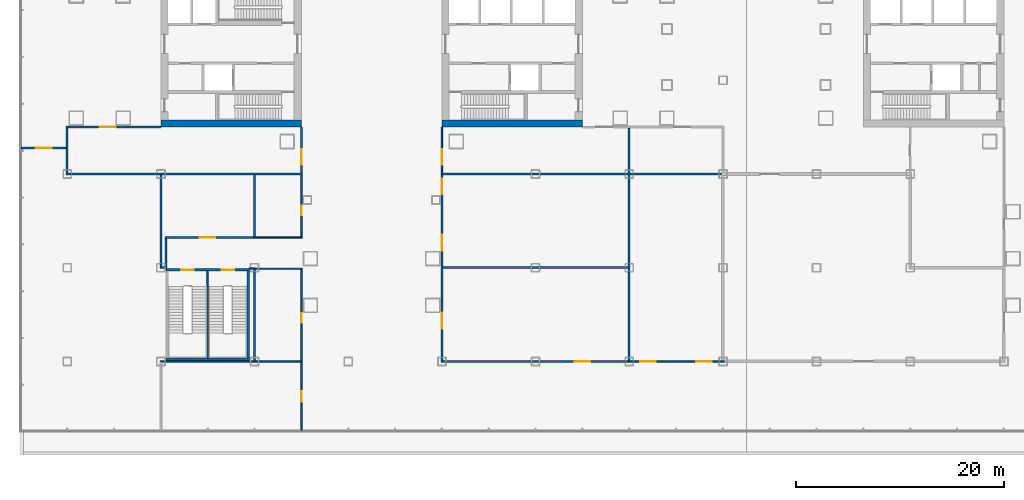
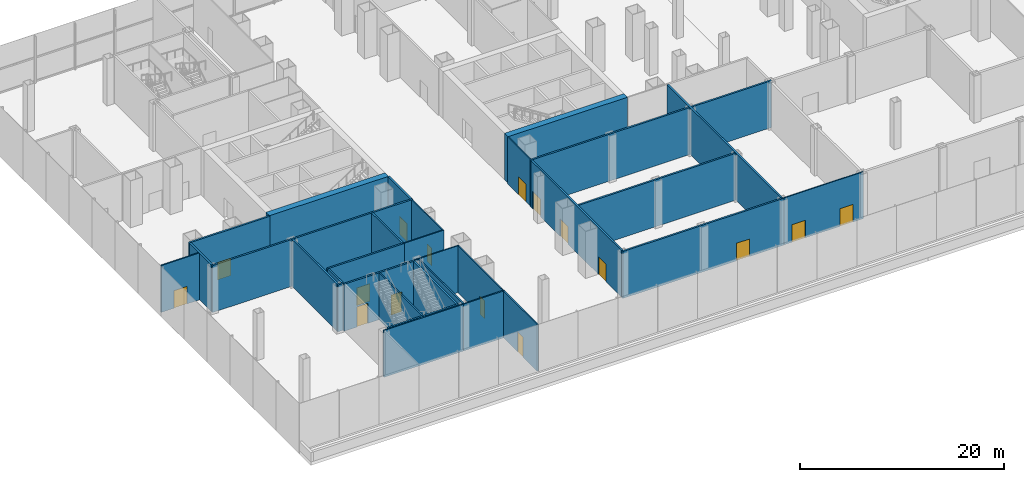
# One storey, part 22 of 38: 33 walls, 16 doors, 16 openings.
"""IFC4 building model written with IfcOpenShell, lengths in metres."""

from ifc_helpers import new_model, si_unit, direction, frame, frame_2d, origin, place, context, subcontext, project, spatial, rectangle, extrude, material, layer, layer_set, type_object, element, fill, save


model = new_model("IFC4")

# Units and contexts
model_context = context("Model", 3, precision=1e-05, world=origin(), true_north=direction((0.0, 1.0)))
body_context = subcontext(model_context, "Body", "Model", "MODEL_VIEW")
ifc_project = project(units=[si_unit("LENGTHUNIT", "METRE"), si_unit("AREAUNIT", "SQUARE_METRE"), si_unit("VOLUMEUNIT", "CUBIC_METRE"), si_unit("PLANEANGLEUNIT", "RADIAN"), si_unit("MASSUNIT", "GRAM", prefix="KILO")], contexts=[model_context])

# Site, building, storey
site_placement = place(None, origin())
site = spatial("IfcSite", under=ifc_project, at=site_placement, CompositionType="ELEMENT")
building_placement = place(site_placement, origin())
building = spatial("IfcBuilding", under=site, at=building_placement, Name="Shamsa Quay Exchange Towers", CompositionType="ELEMENT")
storey_placement = place(building_placement, frame((0.0, 0.0, 12.5)))
storey = spatial("IfcBuildingStorey", under=building, at=storey_placement, Name="L02", CompositionType="ELEMENT", Elevation=12.5)

# Wall, openings, doors
ifc_material_1 = material(Name="Double-leaf gypsum board partition with acoustic insulation")
ifc_layer_1 = layer(ifc_material_1, 0.199951171875)
ifc_layer_set_1 = layer_set([ifc_layer_1], Name="Acoustic partition 200 mm EI 60")
wall_type_1 = type_object("IfcWallType", Name="Acoustic partition 200 mm EI 60", PredefinedType="PARTITIONING", material=ifc_layer_set_1)
wall_1_placement = place(storey_placement, frame((-27.0, -29.14990234375, 0.0), z_axis=(0.0, 0.0, 1.0), x_axis=(0.0, 1.0, 0.0)))
wall_1 = element("IfcWall", 1, at=wall_1_placement, inside=storey, type_object=wall_type_1, Name="Partition PD-L02-W01", PredefinedType="PARTITIONING", context=body_context, shape_type="SweptSolid", body=[
    extrude(rectangle(XDim=17.7998046875, YDim=0.199951171875, at=frame_2d((8.89990234375, 0.0))), origin(), (0.0, 0.0, 1.0), 5.60009765625),
])
opening_1_placement = place(wall_1_placement, frame((3.050048828125, 0.0, 0.0)))
opening_1 = element("IfcOpeningElement", 2, at=opening_1_placement, cuts=wall_1, Name="Opening PD-L02-D16", PredefinedType="OPENING", context=body_context, shape_type="SweptSolid", body=[
    extrude(rectangle(XDim=1.5, YDim=2.10009765625, at=frame_2d((0.75, 1.050048828125))), frame((0.0, 0.10986328125, 0.0), z_axis=(0.0, -1.0, 0.0), x_axis=(1.0, 0.0, 0.0)), (0.0, 0.0, 1.0), 0.219970703125),
])
opening_2_placement = place(wall_1_placement, frame((10.550048828125, 0.0, 0.0)))
opening_2 = element("IfcOpeningElement", 3, at=opening_2_placement, cuts=wall_1, Name="Opening PD-L02-D17", PredefinedType="OPENING", context=body_context, shape_type="SweptSolid", body=[
    extrude(rectangle(XDim=1.5, YDim=2.10009765625, at=frame_2d((0.75, 1.050048828125))), frame((0.0, 0.10986328125, 0.0), z_axis=(0.0, -1.0, 0.0), x_axis=(1.0, 0.0, 0.0)), (0.0, 0.0, 1.0), 0.219970703125),
])
opening_3_placement = place(wall_1_placement, frame((15.949951171875, 0.0, 0.0)))
opening_3 = element("IfcOpeningElement", 4, at=opening_3_placement, cuts=wall_1, Name="Opening PD-L02-D18", PredefinedType="OPENING", context=body_context, shape_type="SweptSolid", body=[
    extrude(rectangle(XDim=1.5, YDim=2.10009765625, at=frame_2d((0.75, 1.050048828125))), frame((0.0, 0.10986328125, 0.0), z_axis=(0.0, -1.0, 0.0), x_axis=(1.0, 0.0, 0.0)), (0.0, 0.0, 1.0), 0.219970703125),
])
ifc_material_2 = material(Name="Timber door leaf in a metal frame", Category="wood")
door_type_1 = type_object("IfcDoorType", Name="Door 1500x2100 FD30S pair", OperationType="NOTDEFINED", PredefinedType="DOOR", material=ifc_material_2)
door_1_placement = place(opening_1_placement, origin())
door_1 = element("IfcDoor", 5, at=door_1_placement, inside=storey, type_object=door_type_1, Name="Door PD-L02-D16", OperationType="DOUBLE_DOOR_SINGLE_SWING", OverallHeight=2.10009765625, OverallWidth=1.5, PredefinedType="DOOR", context=body_context, shape_type="SweptSolid", body=[
    extrude(rectangle(XDim=1.5, YDim=2.10009765625, at=frame_2d((0.75, 1.050048828125))), frame((0.0, 0.02490234375, 0.0), z_axis=(0.0, -1.0, 0.0), x_axis=(1.0, 0.0, 0.0)), (0.0, 0.0, 1.0), 0.050048828125),
])
fill(opening_1, door_1)
door_2_placement = place(opening_2_placement, origin())
door_2 = element("IfcDoor", 6, at=door_2_placement, inside=storey, type_object=door_type_1, Name="Door PD-L02-D17", OperationType="DOUBLE_DOOR_SINGLE_SWING", OverallHeight=2.10009765625, OverallWidth=1.5, PredefinedType="DOOR", context=body_context, shape_type="SweptSolid", body=[
    extrude(rectangle(XDim=1.5, YDim=2.10009765625, at=frame_2d((0.75, 1.050048828125))), frame((0.0, 0.02490234375, 0.0), z_axis=(0.0, -1.0, 0.0), x_axis=(1.0, 0.0, 0.0)), (0.0, 0.0, 1.0), 0.050048828125),
])
fill(opening_2, door_2)
door_3_placement = place(opening_3_placement, origin())
door_3 = element("IfcDoor", 7, at=door_3_placement, inside=storey, type_object=door_type_1, Name="Door PD-L02-D18", OperationType="DOUBLE_DOOR_SINGLE_SWING", OverallHeight=2.10009765625, OverallWidth=1.5, PredefinedType="DOOR", context=body_context, shape_type="SweptSolid", body=[
    extrude(rectangle(XDim=1.5, YDim=2.10009765625, at=frame_2d((0.75, 1.050048828125))), frame((0.0, 0.02490234375, 0.0), z_axis=(0.0, -1.0, 0.0), x_axis=(1.0, 0.0, 0.0)), (0.0, 0.0, 1.0), 0.050048828125),
])
fill(opening_3, door_3)

# Wall, opening, door
wall_2_placement = place(storey_placement, frame((-40.5, -6.75, 0.0), z_axis=(0.0, 0.0, 1.0), x_axis=(0.0, -1.0, 0.0)))
wall_2 = element("IfcWall", 8, at=wall_2_placement, inside=storey, type_object=wall_type_1, Name="Partition PD-L02-W03", PredefinedType="PARTITIONING", context=body_context, shape_type="SweptSolid", body=[
    extrude(rectangle(XDim=4.39990234375, YDim=0.199951171875, at=frame_2d((2.199951171875, 0.0))), origin(), (0.0, 0.0, 1.0), 5.60009765625),
])
opening_4_placement = place(wall_2_placement, frame((2.10009765625, 0.0, 0.0)))
opening_4 = element("IfcOpeningElement", 9, at=opening_4_placement, cuts=wall_2, Name="Opening PD-L02-D11", PredefinedType="OPENING", context=body_context, shape_type="SweptSolid", body=[
    extrude(rectangle(XDim=1.5, YDim=2.10009765625, at=frame_2d((0.75, 1.050048828125))), frame((0.0, 0.10986328125, 0.0), z_axis=(0.0, -1.0, 0.0), x_axis=(1.0, 0.0, 0.0)), (0.0, 0.0, 1.0), 0.219970703125),
])
door_4_placement = place(opening_4_placement, origin())
door_4 = element("IfcDoor", 10, at=door_4_placement, inside=storey, type_object=door_type_1, Name="Door PD-L02-D11", OperationType="DOUBLE_DOOR_SINGLE_SWING", OverallHeight=2.10009765625, OverallWidth=1.5, PredefinedType="DOOR", context=body_context, shape_type="SweptSolid", body=[
    extrude(rectangle(XDim=1.5, YDim=2.10009765625, at=frame_2d((0.75, 1.050048828125))), frame((0.0, 0.02490234375, 0.0), z_axis=(0.0, -1.0, 0.0), x_axis=(1.0, 0.0, 0.0)), (0.0, 0.0, 1.0), 0.050048828125),
])
fill(opening_4, door_4)

wall_3_placement = place(storey_placement, frame((-8.89990234375, -29.25, 0.0), z_axis=(0.0, 0.0, 1.0), x_axis=(-1.0, 0.0, 0.0)))
wall_3 = element("IfcWall", 11, at=wall_3_placement, inside=storey, type_object=wall_type_1, Name="Partition PD-L02-W27", PredefinedType="PARTITIONING", context=body_context, shape_type="SweptSolid", body=[
    extrude(rectangle(XDim=18.2001953125, YDim=0.199951171875, at=frame_2d((9.10009765625, 0.0))), origin(), (0.0, 0.0, 1.0), 5.60009765625),
])
opening_5_placement = place(wall_3_placement, frame((3.85009765625, 0.0, 0.0)))
opening_5 = element("IfcOpeningElement", 12, at=opening_5_placement, cuts=wall_3, Name="Opening PD-L02-D26", PredefinedType="OPENING", context=body_context, shape_type="SweptSolid", body=[
    extrude(rectangle(XDim=1.5, YDim=2.10009765625, at=frame_2d((0.75, 1.050048828125))), frame((0.0, 0.10986328125, 0.0), z_axis=(0.0, -1.0, 0.0), x_axis=(1.0, 0.0, 0.0)), (0.0, 0.0, 1.0), 0.219970703125),
])
door_5_placement = place(opening_5_placement, origin())
door_5 = element("IfcDoor", 13, at=door_5_placement, inside=storey, type_object=door_type_1, Name="Door PD-L02-D26", OperationType="DOUBLE_DOOR_SINGLE_SWING", OverallHeight=2.10009765625, OverallWidth=1.5, PredefinedType="DOOR", context=body_context, shape_type="SweptSolid", body=[
    extrude(rectangle(XDim=1.5, YDim=2.10009765625, at=frame_2d((0.75, 1.050048828125))), frame((0.0, 0.02490234375, 0.0), z_axis=(0.0, -1.0, 0.0), x_axis=(1.0, 0.0, 0.0)), (0.0, 0.0, 1.0), 0.050048828125),
])
fill(opening_5, door_5)

wall_4_placement = place(storey_placement, frame((-63.10009765625, -6.75, 0.0)))
wall_4 = element("IfcWall", 14, at=wall_4_placement, inside=storey, type_object=wall_type_1, Name="Partition PD-L02-W31", PredefinedType="PARTITIONING", context=body_context, shape_type="SweptSolid", body=[
    extrude(rectangle(XDim=9.10009765625, YDim=0.199951171875, at=frame_2d((4.550048828125, 0.0))), origin(), (0.0, 0.0, 1.0), 5.60009765625),
])
opening_6_placement = place(wall_4_placement, frame((3.25, 0.0, 0.0)))
opening_6 = element("IfcOpeningElement", 15, at=opening_6_placement, cuts=wall_4, Name="Opening PD-L02-D03", PredefinedType="OPENING", context=body_context, shape_type="SweptSolid", body=[
    extrude(rectangle(XDim=1.5, YDim=2.10009765625, at=frame_2d((0.75, 1.050048828125))), frame((0.0, 0.10986328125, 0.0), z_axis=(0.0, -1.0, 0.0), x_axis=(1.0, 0.0, 0.0)), (0.0, 0.0, 1.0), 0.219970703125),
])
door_6_placement = place(opening_6_placement, origin())
door_6 = element("IfcDoor", 16, at=door_6_placement, inside=storey, type_object=door_type_1, Name="Door PD-L02-D03", OperationType="DOUBLE_DOOR_SINGLE_SWING", OverallHeight=2.10009765625, OverallWidth=1.5, PredefinedType="DOOR", context=body_context, shape_type="SweptSolid", body=[
    extrude(rectangle(XDim=1.5, YDim=2.10009765625, at=frame_2d((0.75, 1.050048828125))), frame((0.0, 0.02490234375, 0.0), z_axis=(0.0, -1.0, 0.0), x_axis=(1.0, 0.0, 0.0)), (0.0, 0.0, 1.0), 0.050048828125),
])
fill(opening_6, door_6)

# Walls
wall_5_placement = place(storey_placement, frame((-63.0, -11.14990234375, 0.0), z_axis=(0.0, 0.0, 1.0), x_axis=(0.0, 1.0, 0.0)))
element("IfcWall", 17, at=wall_5_placement, inside=storey, type_object=wall_type_1, Name="Partition PD-L02-W32", PredefinedType="PARTITIONING", context=body_context, shape_type="SweptSolid", body=[
    extrude(rectangle(XDim=4.2998046875, YDim=0.199951171875, at=frame_2d((2.14990234375, 0.0))), origin(), (0.0, 0.0, 1.0), 5.60009765625),
])
wall_6_placement = place(storey_placement, frame((-53.5, -20.14990234375, 0.0), z_axis=(0.0, 0.0, 1.0), x_axis=(0.0, 1.0, 0.0)))
element("IfcWall", 18, at=wall_6_placement, inside=storey, type_object=wall_type_1, Name="Partition PD-L02-W39", PredefinedType="PARTITIONING", context=body_context, shape_type="SweptSolid", body=[
    extrude(rectangle(XDim=2.7001953125, YDim=0.199951171875, at=frame_2d((1.35009765625, 0.0))), origin(), (0.0, 0.0, 1.0), 5.60009765625),
])

# Wall, opening, door
wall_7_placement = place(storey_placement, frame((-53.60009765625, -17.349609375, 0.0)))
wall_7 = element("IfcWall", 19, at=wall_7_placement, inside=storey, type_object=wall_type_1, Name="Partition PD-L02-W50", PredefinedType="PARTITIONING", context=body_context, shape_type="SweptSolid", body=[
    extrude(rectangle(XDim=8.7001953125, YDim=0.199951171875, at=frame_2d((4.35009765625, 0.0))), origin(), (0.0, 0.0, 1.0), 5.60009765625),
])
opening_7_placement = place(wall_7_placement, frame((3.35009765625, 0.0, 0.0)))
opening_7 = element("IfcOpeningElement", 20, at=opening_7_placement, cuts=wall_7, Name="Opening PD-L02-D06", PredefinedType="OPENING", context=body_context, shape_type="SweptSolid", body=[
    extrude(rectangle(XDim=1.5, YDim=2.10009765625, at=frame_2d((0.75, 1.050048828125))), frame((0.0, 0.10986328125, 0.0), z_axis=(0.0, -1.0, 0.0), x_axis=(1.0, 0.0, 0.0)), (0.0, 0.0, 1.0), 0.219970703125),
])
door_7_placement = place(opening_7_placement, origin())
door_7 = element("IfcDoor", 21, at=door_7_placement, inside=storey, type_object=door_type_1, Name="Door PD-L02-D06", OperationType="DOUBLE_DOOR_SINGLE_SWING", OverallHeight=2.10009765625, OverallWidth=1.5, PredefinedType="DOOR", context=body_context, shape_type="SweptSolid", body=[
    extrude(rectangle(XDim=1.5, YDim=2.10009765625, at=frame_2d((0.75, 1.050048828125))), frame((0.0, 0.02490234375, 0.0), z_axis=(0.0, -1.0, 0.0), x_axis=(1.0, 0.0, 0.0)), (0.0, 0.0, 1.0), 0.050048828125),
])
fill(opening_7, door_7)

# Walls
wall_8_placement = place(storey_placement, frame((0.125, -11.25, 0.0), z_axis=(0.0, 0.0, 1.0), x_axis=(-1.0, 0.0, 0.0)))
element("IfcWall", 22, at=wall_8_placement, inside=storey, type_object=wall_type_1, Name="Partition PD-L02-W60", PredefinedType="PARTITIONING", context=body_context, shape_type="SweptSolid", body=[
    extrude(rectangle(XDim=27.22509765625, YDim=0.199951171875, at=frame_2d((13.612548828125, 0.0))), origin(), (0.0, 0.0, 1.0), 5.60009765625),
])
wall_9_placement = place(storey_placement, frame((-53.89990234375, -11.25, 0.0), z_axis=(0.0, 0.0, 1.0), x_axis=(-1.0, 0.0, 0.0)))
element("IfcWall", 23, at=wall_9_placement, inside=storey, type_object=wall_type_1, Name="Partition PD-L02-W61", PredefinedType="PARTITIONING", context=body_context, shape_type="SweptSolid", body=[
    extrude(rectangle(XDim=9.2001953125, YDim=0.199951171875, at=frame_2d((4.60009765625, 0.0))), origin(), (0.0, 0.0, 1.0), 5.60009765625),
])
wall_10_placement = place(storey_placement, frame((-54.0, -20.14990234375, 0.0), z_axis=(0.0, 0.0, 1.0), x_axis=(0.0, 1.0, 0.0)))
element("IfcWall", 24, at=wall_10_placement, inside=storey, type_object=wall_type_1, Name="Partition PD-L02-W64", PredefinedType="PARTITIONING", context=body_context, shape_type="SweptSolid", body=[
    extrude(rectangle(XDim=8.7998046875, YDim=0.199951171875, at=frame_2d((4.39990234375, 0.0))), origin(), (0.0, 0.0, 1.0), 5.60009765625),
])
wall_11_placement = place(storey_placement, frame((-9.10009765625, -20.25, 0.0), z_axis=(0.0, 0.0, 1.0), x_axis=(-1.0, 0.0, 0.0)))
element("IfcWall", 25, at=wall_11_placement, inside=storey, type_object=wall_type_1, Name="Partition PD-L02-W67", PredefinedType="PARTITIONING", context=body_context, shape_type="SweptSolid", body=[
    extrude(rectangle(XDim=17.7998046875, YDim=0.199951171875, at=frame_2d((8.89990234375, 0.0))), origin(), (0.0, 0.0, 1.0), 5.60009765625),
])
wall_12_placement = place(storey_placement, frame((-53.39990234375, -20.25, 0.0), z_axis=(0.0, 0.0, 1.0), x_axis=(-1.0, 0.0, 0.0)))
element("IfcWall", 26, at=wall_12_placement, inside=storey, type_object=wall_type_1, Name="Partition PD-L02-W68", PredefinedType="PARTITIONING", context=body_context, shape_type="SweptSolid", body=[
    extrude(rectangle(XDim=0.7001953125, YDim=0.199951171875, at=frame_2d((0.35009765625, 0.0))), origin(), (0.0, 0.0, 1.0), 5.60009765625),
])
wall_13_placement = place(storey_placement, frame((-45.0, -17.24951171875, 0.0), z_axis=(0.0, 0.0, 1.0), x_axis=(0.0, 1.0, 0.0)))
element("IfcWall", 27, at=wall_13_placement, inside=storey, type_object=wall_type_1, Name="Partition PD-L02-W70", PredefinedType="PARTITIONING", context=body_context, shape_type="SweptSolid", body=[
    extrude(rectangle(XDim=5.8994140625, YDim=0.199951171875, at=frame_2d((2.94970703125, 0.0))), origin(), (0.0, 0.0, 1.0), 5.60009765625),
])
wall_14_placement = place(storey_placement, frame((-9.0, -29.14990234375, 0.0), z_axis=(0.0, 0.0, 1.0), x_axis=(0.0, 1.0, 0.0)))
element("IfcWall", 28, at=wall_14_placement, inside=storey, type_object=wall_type_1, Name="Partition PD-L02-W84", PredefinedType="PARTITIONING", context=body_context, shape_type="SweptSolid", body=[
    extrude(rectangle(XDim=22.2998046875, YDim=0.199951171875, at=frame_2d((11.14990234375, 0.0))), origin(), (0.0, 0.0, 1.0), 5.60009765625),
])
wall_15_placement = place(storey_placement, frame((-54.10009765625, -11.25, 0.0)))
element("IfcWall", 29, at=wall_15_placement, inside=storey, type_object=wall_type_1, Name="Partition PD-L02-W87", PredefinedType="PARTITIONING", context=body_context, shape_type="SweptSolid", body=[
    extrude(rectangle(XDim=13.7001953125, YDim=0.199951171875, at=frame_2d((6.85009765625, 0.0))), origin(), (0.0, 0.0, 1.0), 5.60009765625),
])
ifc_material_3 = material(Name="Concrete C80/95", Category="concrete")
ifc_layer_2 = layer(ifc_material_3, 0.699951171875)
ifc_layer_set_2 = layer_set([ifc_layer_2], Name="CORE WALL 700 C80/95")
wall_type_2 = type_object("IfcWallType", Name="CORE WALL 700 C80/95", PredefinedType="SHEAR", material=ifc_layer_set_2)
wall_16_placement = place(storey_placement, frame((-27.0, -6.39990234375, 0.0)))
element("IfcWall", 30, at=wall_16_placement, inside=storey, type_object=wall_type_2, Name="Core wall T1A-L02-PS", PredefinedType="SHEAR", context=body_context, shape_type="SweptSolid", body=[
    extrude(rectangle(XDim=13.5, YDim=0.699951171875, at=frame_2d((6.75, 0.0))), origin(), (0.0, 0.0, 1.0), 5.60009765625),
])
wall_17_placement = place(storey_placement, frame((-40.5, -6.39990234375, 0.0), z_axis=(0.0, 0.0, 1.0), x_axis=(-1.0, 0.0, 0.0)))
element("IfcWall", 31, at=wall_17_placement, inside=storey, type_object=wall_type_2, Name="Core wall T1B-L02-PS", PredefinedType="SHEAR", context=body_context, shape_type="SweptSolid", body=[
    extrude(rectangle(XDim=13.5, YDim=0.699951171875, at=frame_2d((6.75, 0.0))), origin(), (0.0, 0.0, 1.0), 5.60009765625),
])

# Wall, opening, door
ifc_material_4 = material(Name="Laminated fire-resisting glass in a metal frame", Category="glass")
ifc_layer_3 = layer(ifc_material_4, 0.125)
ifc_layer_set_3 = layer_set([ifc_layer_3], Name="Glazed partition 125 mm EI 60")
wall_type_3 = type_object("IfcWallType", Name="Glazed partition 125 mm EI 60", PredefinedType="PARTITIONING", material=ifc_layer_set_3)
wall_18_placement = place(storey_placement, frame((-27.0, -11.14990234375, 0.0), z_axis=(0.0, 0.0, 1.0), x_axis=(0.0, 1.0, 0.0)))
wall_18 = element("IfcWall", 32, at=wall_18_placement, inside=storey, type_object=wall_type_3, Name="Partition PD-L02-W05", PredefinedType="PARTITIONING", context=body_context, shape_type="SweptSolid", body=[
    extrude(rectangle(XDim=4.39990234375, YDim=0.125, at=frame_2d((2.199951171875, 0.0))), origin(), (0.0, 0.0, 1.0), 5.60009765625),
])
opening_8_placement = place(wall_18_placement, frame((0.800048828125, 0.0, 0.0)))
opening_8 = element("IfcOpeningElement", 33, at=opening_8_placement, cuts=wall_18, Name="Opening PD-L02-D19", PredefinedType="OPENING", context=body_context, shape_type="SweptSolid", body=[
    extrude(rectangle(XDim=1.5, YDim=2.10009765625, at=frame_2d((0.75, 1.050048828125))), frame((0.0, 0.072509765625, 0.0), z_axis=(0.0, -1.0, 0.0), x_axis=(1.0, 0.0, 0.0)), (0.0, 0.0, 1.0), 0.14501953125),
])
door_8_placement = place(opening_8_placement, origin())
door_8 = element("IfcDoor", 34, at=door_8_placement, inside=storey, type_object=door_type_1, Name="Door PD-L02-D19", OperationType="DOUBLE_DOOR_SINGLE_SWING", OverallHeight=2.10009765625, OverallWidth=1.5, PredefinedType="DOOR", context=body_context, shape_type="SweptSolid", body=[
    extrude(rectangle(XDim=1.5, YDim=2.10009765625, at=frame_2d((0.75, 1.050048828125))), frame((0.0, 0.02490234375, 0.0), z_axis=(0.0, -1.0, 0.0), x_axis=(1.0, 0.0, 0.0)), (0.0, 0.0, 1.0), 0.050048828125),
])
fill(opening_8, door_8)

wall_19_placement = place(storey_placement, frame((-40.5, -29.175048828125, 0.0), z_axis=(0.0, 0.0, 1.0), x_axis=(0.0, 1.0, 0.0)))
wall_19 = element("IfcWall", 35, at=wall_19_placement, inside=storey, type_object=wall_type_3, Name="Partition PD-L02-W07", PredefinedType="PARTITIONING", context=body_context, shape_type="SweptSolid", body=[
    extrude(rectangle(XDim=8.762939453125, YDim=0.125, at=frame_2d((4.38134765625, 0.0))), origin(), (0.0, 0.0, 1.0), 5.60009765625),
])
opening_9_placement = place(wall_19_placement, frame((3.625244140625, 0.0, 0.0)))
opening_9 = element("IfcOpeningElement", 36, at=opening_9_placement, cuts=wall_19, Name="Opening PD-L02-D09", PredefinedType="OPENING", context=body_context, shape_type="SweptSolid", body=[
    extrude(rectangle(XDim=0.89990234375, YDim=2.10009765625, at=frame_2d((0.449951171875, 1.050048828125))), frame((0.0, 0.072509765625, 0.0), z_axis=(0.0, -1.0, 0.0), x_axis=(1.0, 0.0, 0.0)), (0.0, 0.0, 1.0), 0.14501953125),
])
door_type_2 = type_object("IfcDoorType", Name="Door 900x2100 FD30S", OperationType="NOTDEFINED", PredefinedType="DOOR", material=ifc_material_2)
door_9_placement = place(opening_9_placement, origin())
door_9 = element("IfcDoor", 37, at=door_9_placement, inside=storey, type_object=door_type_2, Name="Door PD-L02-D09", OperationType="SINGLE_SWING_LEFT", OverallHeight=2.10009765625, OverallWidth=0.89990234375, PredefinedType="DOOR", context=body_context, shape_type="SweptSolid", body=[
    extrude(rectangle(XDim=0.89990234375, YDim=2.10009765625, at=frame_2d((0.449951171875, 1.050048828125))), frame((0.0, 0.02490234375, 0.0), z_axis=(0.0, -1.0, 0.0), x_axis=(1.0, 0.0, 0.0)), (0.0, 0.0, 1.0), 0.050048828125),
])
fill(opening_9, door_9)

wall_20_placement = place(storey_placement, frame((-40.5, -17.287109375, 0.0), z_axis=(0.0, 0.0, 1.0), x_axis=(0.0, 1.0, 0.0)))
wall_20 = element("IfcWall", 38, at=wall_20_placement, inside=storey, type_object=wall_type_3, Name="Partition PD-L02-W08", PredefinedType="PARTITIONING", context=body_context, shape_type="SweptSolid", body=[
    extrude(rectangle(XDim=5.93701171875, YDim=0.125, at=frame_2d((2.968505859375, 0.0))), origin(), (0.0, 0.0, 1.0), 5.60009765625),
])
opening_10_placement = place(wall_20_placement, frame((2.08740234375, 0.0, 0.0)))
opening_10 = element("IfcOpeningElement", 39, at=opening_10_placement, cuts=wall_20, Name="Opening PD-L02-D10", PredefinedType="OPENING", context=body_context, shape_type="SweptSolid", body=[
    extrude(rectangle(XDim=0.89990234375, YDim=2.10009765625, at=frame_2d((0.449951171875, 1.050048828125))), frame((0.0, 0.072509765625, 0.0), z_axis=(0.0, -1.0, 0.0), x_axis=(1.0, 0.0, 0.0)), (0.0, 0.0, 1.0), 0.14501953125),
])
door_10_placement = place(opening_10_placement, origin())
door_10 = element("IfcDoor", 40, at=door_10_placement, inside=storey, type_object=door_type_2, Name="Door PD-L02-D10", OperationType="SINGLE_SWING_LEFT", OverallHeight=2.10009765625, OverallWidth=0.89990234375, PredefinedType="DOOR", context=body_context, shape_type="SweptSolid", body=[
    extrude(rectangle(XDim=0.89990234375, YDim=2.10009765625, at=frame_2d((0.449951171875, 1.050048828125))), frame((0.0, 0.02490234375, 0.0), z_axis=(0.0, -1.0, 0.0), x_axis=(1.0, 0.0, 0.0)), (0.0, 0.0, 1.0), 0.050048828125),
])
fill(opening_10, door_10)

# Wall, openings, doors
wall_21_placement = place(storey_placement, frame((0.125, -29.25, 0.0), z_axis=(0.0, 0.0, 1.0), x_axis=(-1.0, 0.0, 0.0)))
wall_21 = element("IfcWall", 41, at=wall_21_placement, inside=storey, type_object=wall_type_3, Name="Partition PD-L02-W28", PredefinedType="PARTITIONING", context=body_context, shape_type="SweptSolid", body=[
    extrude(rectangle(XDim=9.22509765625, YDim=0.125, at=frame_2d((4.612548828125, 0.0))), origin(), (0.0, 0.0, 1.0), 5.60009765625),
])
opening_11_placement = place(wall_21_placement, frame((1.175048828125, 0.0, 0.0)))
opening_11 = element("IfcOpeningElement", 42, at=opening_11_placement, cuts=wall_21, Name="Opening PD-L02-D27", PredefinedType="OPENING", context=body_context, shape_type="SweptSolid", body=[
    extrude(rectangle(XDim=1.5, YDim=2.10009765625, at=frame_2d((0.75, 1.050048828125))), frame((0.0, 0.072509765625, 0.0), z_axis=(0.0, -1.0, 0.0), x_axis=(1.0, 0.0, 0.0)), (0.0, 0.0, 1.0), 0.14501953125),
])
opening_12_placement = place(wall_21_placement, frame((6.574951171875, 0.0, 0.0)))
opening_12 = element("IfcOpeningElement", 43, at=opening_12_placement, cuts=wall_21, Name="Opening PD-L02-D28", PredefinedType="OPENING", context=body_context, shape_type="SweptSolid", body=[
    extrude(rectangle(XDim=1.5, YDim=2.10009765625, at=frame_2d((0.75, 1.050048828125))), frame((0.0, 0.072509765625, 0.0), z_axis=(0.0, -1.0, 0.0), x_axis=(1.0, 0.0, 0.0)), (0.0, 0.0, 1.0), 0.14501953125),
])
door_11_placement = place(opening_11_placement, origin())
door_11 = element("IfcDoor", 44, at=door_11_placement, inside=storey, type_object=door_type_1, Name="Door PD-L02-D27", OperationType="DOUBLE_DOOR_SINGLE_SWING", OverallHeight=2.10009765625, OverallWidth=1.5, PredefinedType="DOOR", context=body_context, shape_type="SweptSolid", body=[
    extrude(rectangle(XDim=1.5, YDim=2.10009765625, at=frame_2d((0.75, 1.050048828125))), frame((0.0, 0.02490234375, 0.0), z_axis=(0.0, -1.0, 0.0), x_axis=(1.0, 0.0, 0.0)), (0.0, 0.0, 1.0), 0.050048828125),
])
fill(opening_11, door_11)
door_12_placement = place(opening_12_placement, origin())
door_12 = element("IfcDoor", 45, at=door_12_placement, inside=storey, type_object=door_type_1, Name="Door PD-L02-D28", OperationType="DOUBLE_DOOR_SINGLE_SWING", OverallHeight=2.10009765625, OverallWidth=1.5, PredefinedType="DOOR", context=body_context, shape_type="SweptSolid", body=[
    extrude(rectangle(XDim=1.5, YDim=2.10009765625, at=frame_2d((0.75, 1.050048828125))), frame((0.0, 0.02490234375, 0.0), z_axis=(0.0, -1.0, 0.0), x_axis=(1.0, 0.0, 0.0)), (0.0, 0.0, 1.0), 0.050048828125),
])
fill(opening_12, door_12)

# Walls
wall_22_placement = place(storey_placement, frame((-40.4375, -20.349609375, 0.0), z_axis=(0.0, 0.0, 1.0), x_axis=(-1.0, 0.0, 0.0)))
element("IfcWall", 46, at=wall_22_placement, inside=storey, type_object=wall_type_3, Name="Partition PD-L02-W51", PredefinedType="PARTITIONING", context=body_context, shape_type="SweptSolid", body=[
    extrude(rectangle(XDim=4.637451171875, YDim=0.125, at=frame_2d((2.31884765625, 0.0))), origin(), (0.0, 0.0, 1.0), 5.60009765625),
])
wall_23_placement = place(storey_placement, frame((-45.10009765625, -17.349609375, 0.0)))
element("IfcWall", 47, at=wall_23_placement, inside=storey, type_object=wall_type_3, Name="Partition PD-L02-W52", PredefinedType="PARTITIONING", context=body_context, shape_type="SweptSolid", body=[
    extrude(rectangle(XDim=4.66259765625, YDim=0.125, at=frame_2d((2.331298828125, 0.0))), origin(), (0.0, 0.0, 1.0), 5.60009765625),
])

# Wall, opening, door
ifc_material_5 = material(Name="Gypsum board partition on metal studs")
ifc_layer_4 = layer(ifc_material_5, 0.14990234375)
ifc_layer_set_4 = layer_set([ifc_layer_4], Name="Partition 150 mm EI 60")
wall_type_4 = type_object("IfcWallType", Name="Partition 150 mm EI 60", PredefinedType="PARTITIONING", material=ifc_layer_set_4)
wall_24_placement = place(storey_placement, frame((-40.5, -35.905029296875, 0.0), z_axis=(0.0, 0.0, 1.0), x_axis=(0.0, 1.0, 0.0)))
wall_24 = element("IfcWall", 48, at=wall_24_placement, inside=storey, type_object=wall_type_4, Name="Partition PD-L02-W04", PredefinedType="PARTITIONING", context=body_context, shape_type="SweptSolid", body=[
    extrude(rectangle(XDim=6.580078125, YDim=0.14990234375, at=frame_2d((3.2900390625, 0.0))), origin(), (0.0, 0.0, 1.0), 5.60009765625),
])
opening_13_placement = place(wall_24_placement, frame((2.780029296875, 0.0, 0.0)))
opening_13 = element("IfcOpeningElement", 49, at=opening_13_placement, cuts=wall_24, Name="Opening PD-L02-D08", PredefinedType="OPENING", context=body_context, shape_type="SweptSolid", body=[
    extrude(rectangle(XDim=1.0, YDim=2.39990234375, at=frame_2d((0.5, 1.199951171875))), frame((0.0, 0.0849609375, 0.0), z_axis=(0.0, -1.0, 0.0), x_axis=(1.0, 0.0, 0.0)), (0.0, 0.0, 1.0), 0.169921875),
])
door_type_3 = type_object("IfcDoorType", Name="Door 1000x2400 FD30S", OperationType="NOTDEFINED", PredefinedType="DOOR", material=ifc_material_2)
door_13_placement = place(opening_13_placement, origin())
door_13 = element("IfcDoor", 50, at=door_13_placement, inside=storey, type_object=door_type_3, Name="Door PD-L02-D08", OperationType="SINGLE_SWING_RIGHT", OverallHeight=2.39990234375, OverallWidth=1.0, PredefinedType="DOOR", context=body_context, shape_type="SweptSolid", body=[
    extrude(rectangle(XDim=1.0, YDim=2.39990234375, at=frame_2d((0.5, 1.199951171875))), frame((0.0, 0.02490234375, 0.0), z_axis=(0.0, -1.0, 0.0), x_axis=(1.0, 0.0, 0.0)), (0.0, 0.0, 1.0), 0.050048828125),
])
fill(opening_13, door_13)

wall_25_placement = place(storey_placement, frame((-63.10009765625, -8.75, 0.0), z_axis=(0.0, 0.0, 1.0), x_axis=(-1.0, 0.0, 0.0)))
wall_25 = element("IfcWall", 51, at=wall_25_placement, inside=storey, type_object=wall_type_4, Name="Partition PD-L02-W29", PredefinedType="PARTITIONING", context=body_context, shape_type="SweptSolid", body=[
    extrude(rectangle(XDim=4.304931640625, YDim=0.14990234375, at=frame_2d((2.15234375, 0.0))), origin(), (0.0, 0.0, 1.0), 5.60009765625),
])
opening_14_placement = place(wall_25_placement, frame((1.39990234375, 0.0, 0.0)))
opening_14 = element("IfcOpeningElement", 52, at=opening_14_placement, cuts=wall_25, Name="Opening PD-L02-D02", PredefinedType="OPENING", context=body_context, shape_type="SweptSolid", body=[
    extrude(rectangle(XDim=1.5, YDim=2.10009765625, at=frame_2d((0.75, 1.050048828125))), frame((0.0, 0.0849609375, 0.0), z_axis=(0.0, -1.0, 0.0), x_axis=(1.0, 0.0, 0.0)), (0.0, 0.0, 1.0), 0.169921875),
])
door_14_placement = place(opening_14_placement, origin())
door_14 = element("IfcDoor", 53, at=door_14_placement, inside=storey, type_object=door_type_1, Name="Door PD-L02-D02", OperationType="DOUBLE_DOOR_SINGLE_SWING", OverallHeight=2.10009765625, OverallWidth=1.5, PredefinedType="DOOR", context=body_context, shape_type="SweptSolid", body=[
    extrude(rectangle(XDim=1.5, YDim=2.10009765625, at=frame_2d((0.75, 1.050048828125))), frame((0.0, 0.02490234375, 0.0), z_axis=(0.0, -1.0, 0.0), x_axis=(1.0, 0.0, 0.0)), (0.0, 0.0, 1.0), 0.050048828125),
])
fill(opening_14, door_14)

# Walls
wall_26_placement = place(storey_placement, frame((-44.925048828125, -20.349609375, 0.0), z_axis=(0.0, 0.0, 1.0), x_axis=(-1.0, 0.0, 0.0)))
element("IfcWall", 54, at=wall_26_placement, inside=storey, type_object=wall_type_4, Name="Partition PD-L02-W49", PredefinedType="PARTITIONING", context=body_context, shape_type="SweptSolid", body=[
    extrude(rectangle(XDim=0.574951171875, YDim=0.14990234375, at=frame_2d((0.28759765625, 0.0))), origin(), (0.0, 0.0, 1.0), 5.60009765625),
])
wall_27_placement = place(storey_placement, frame((-54.074951171875, -29.25, 0.0)))
element("IfcWall", 55, at=wall_27_placement, inside=storey, type_object=wall_type_4, Name="Partition PD-L02-W62", PredefinedType="PARTITIONING", context=body_context, shape_type="SweptSolid", body=[
    extrude(rectangle(XDim=9.14990234375, YDim=0.14990234375, at=frame_2d((4.574951171875, 0.0))), origin(), (0.0, 0.0, 1.0), 5.60009765625),
])
wall_28_placement = place(storey_placement, frame((-45.0, -29.175048828125, 0.0), z_axis=(0.0, 0.0, 1.0), x_axis=(0.0, 1.0, 0.0)))
element("IfcWall", 56, at=wall_28_placement, inside=storey, type_object=wall_type_4, Name="Partition PD-L02-W69", PredefinedType="PARTITIONING", context=body_context, shape_type="SweptSolid", body=[
    extrude(rectangle(XDim=8.75048828125, YDim=0.14990234375, at=frame_2d((4.375244140625, 0.0))), origin(), (0.0, 0.0, 1.0), 5.60009765625),
])
wall_29_placement = place(storey_placement, frame((-40.425048828125, -29.25, 0.0), z_axis=(0.0, 0.0, 1.0), x_axis=(-1.0, 0.0, 0.0)))
element("IfcWall", 57, at=wall_29_placement, inside=storey, type_object=wall_type_4, Name="Partition PD-L02-W88", PredefinedType="PARTITIONING", context=body_context, shape_type="SweptSolid", body=[
    extrude(rectangle(XDim=4.64990234375, YDim=0.14990234375, at=frame_2d((2.324951171875, 0.0))), origin(), (0.0, 0.0, 1.0), 5.60009765625),
])

# Wall, openings, doors
ifc_material_6 = material(Name="Concrete C50/60", Category="concrete")
ifc_layer_5 = layer(ifc_material_6, 0.199951171875)
ifc_layer_set_5 = layer_set([ifc_layer_5], Name="STAIR ENCLOSURE WALL 200 C50/60")
wall_type_5 = type_object("IfcWallType", Name="STAIR ENCLOSURE WALL 200 C50/60", PredefinedType="SHEAR", material=ifc_layer_set_5)
wall_30_placement = place(storey_placement, frame((-45.5, -20.449951171875, 0.0), z_axis=(0.0, 0.0, 1.0), x_axis=(-1.0, 0.0, 0.0)))
wall_30 = element("IfcWall", 58, at=wall_30_placement, inside=storey, type_object=wall_type_5, Name="Stair enclosure wall PS5 inward", PredefinedType="SHEAR", context=body_context, shape_type="SweptSolid", body=[
    extrude(rectangle(XDim=8.0, YDim=0.199951171875, at=frame_2d((4.0, 0.0))), origin(), (0.0, 0.0, 1.0), 5.60009765625),
])
opening_15_placement = place(wall_30_placement, frame((5.33740234375, 0.0, 0.0)))
opening_15 = element("IfcOpeningElement", 59, at=opening_15_placement, cuts=wall_30, Name="Opening PS5A-L02-SD01", PredefinedType="OPENING", context=body_context, shape_type="SweptSolid", body=[
    extrude(rectangle(XDim=1.199951171875, YDim=2.39990234375, at=frame_2d((0.60009765625, 1.199951171875))), frame((0.0, 0.10986328125, 0.0), z_axis=(0.0, -1.0, 0.0), x_axis=(1.0, 0.0, 0.0)), (0.0, 0.0, 1.0), 0.219970703125),
])
opening_16_placement = place(wall_30_placement, frame((1.46240234375, 0.0, 0.0)))
opening_16 = element("IfcOpeningElement", 60, at=opening_16_placement, cuts=wall_30, Name="Opening PS5B-L02-SD01", PredefinedType="OPENING", context=body_context, shape_type="SweptSolid", body=[
    extrude(rectangle(XDim=1.199951171875, YDim=2.39990234375, at=frame_2d((0.60009765625, 1.199951171875))), frame((0.0, 0.10986328125, 0.0), z_axis=(0.0, -1.0, 0.0), x_axis=(1.0, 0.0, 0.0)), (0.0, 0.0, 1.0), 0.219970703125),
])
ifc_material_7 = material(Name="Steel, fire rated", Category="steel")
door_type_4 = type_object("IfcDoorType", Name="PODIUM STAIR DOOR 1200", OperationType="SINGLE_SWING_LEFT", PredefinedType="DOOR", material=ifc_material_7)
door_15_placement = place(opening_15_placement, origin())
door_15 = element("IfcDoor", 61, at=door_15_placement, inside=storey, type_object=door_type_4, Name="PS5A-L02-SD01", OperationType="SINGLE_SWING_LEFT", OverallHeight=2.39990234375, OverallWidth=1.199951171875, PredefinedType="DOOR", context=body_context, shape_type="SweptSolid", body=[
    extrude(rectangle(XDim=1.199951171875, YDim=2.39990234375, at=frame_2d((0.60009765625, 1.199951171875))), frame((0.0, 0.02490234375, 0.0), z_axis=(0.0, -1.0, 0.0), x_axis=(1.0, 0.0, 0.0)), (0.0, 0.0, 1.0), 0.050048828125),
])
fill(opening_15, door_15)
door_16_placement = place(opening_16_placement, origin())
door_16 = element("IfcDoor", 62, at=door_16_placement, inside=storey, type_object=door_type_4, Name="PS5B-L02-SD01", OperationType="SINGLE_SWING_RIGHT", OverallHeight=2.39990234375, OverallWidth=1.199951171875, PredefinedType="DOOR", context=body_context, shape_type="SweptSolid", body=[
    extrude(rectangle(XDim=1.199951171875, YDim=2.39990234375, at=frame_2d((0.60009765625, 1.199951171875))), frame((0.0, 0.02490234375, 0.0), z_axis=(0.0, -1.0, 0.0), x_axis=(1.0, 0.0, 0.0)), (0.0, 0.0, 1.0), 0.050048828125),
])
fill(opening_16, door_16)

# Walls
wall_31_placement = place(storey_placement, frame((-53.5, -29.050048828125, 0.0)))
element("IfcWall", 63, at=wall_31_placement, inside=storey, type_object=wall_type_5, Name="Stair enclosure wall PS5 outward", PredefinedType="SHEAR", context=body_context, shape_type="SweptSolid", body=[
    extrude(rectangle(XDim=8.0, YDim=0.199951171875, at=frame_2d((4.0, 0.0))), origin(), (0.0, 0.0, 1.0), 5.60009765625),
])
wall_32_placement = place(storey_placement, frame((-45.60009765625, -28.949951171875, 0.0), z_axis=(0.0, 0.0, 1.0), x_axis=(0.0, 1.0, 0.0)))
element("IfcWall", 64, at=wall_32_placement, inside=storey, type_object=wall_type_5, Name="Stair enclosure wall PS5 east", PredefinedType="SHEAR", context=body_context, shape_type="SweptSolid", body=[
    extrude(rectangle(XDim=8.39990234375, YDim=0.199951171875, at=frame_2d((4.199951171875, 0.0))), origin(), (0.0, 0.0, 1.0), 5.60009765625),
])
ifc_layer_6 = layer(ifc_material_6, 0.14990234375)
ifc_layer_set_6 = layer_set([ifc_layer_6], Name="STAIR PARTITION WALL 150 C50/60")
wall_type_6 = type_object("IfcWallType", Name="STAIR PARTITION WALL 150 C50/60", PredefinedType="SHEAR", material=ifc_layer_set_6)
wall_33_placement = place(storey_placement, frame((-49.5, -28.949951171875, 0.0), z_axis=(0.0, 0.0, 1.0), x_axis=(0.0, 1.0, 0.0)))
element("IfcWall", 65, at=wall_33_placement, inside=storey, type_object=wall_type_6, Name="Stair enclosure wall PS5 between the stairs", PredefinedType="SHEAR", context=body_context, shape_type="SweptSolid", body=[
    extrude(rectangle(XDim=8.39990234375, YDim=0.14990234375, at=frame_2d((4.199951171875, 0.0))), origin(), (0.0, 0.0, 1.0), 5.60009765625),
])

save(model, "model.ifc")
